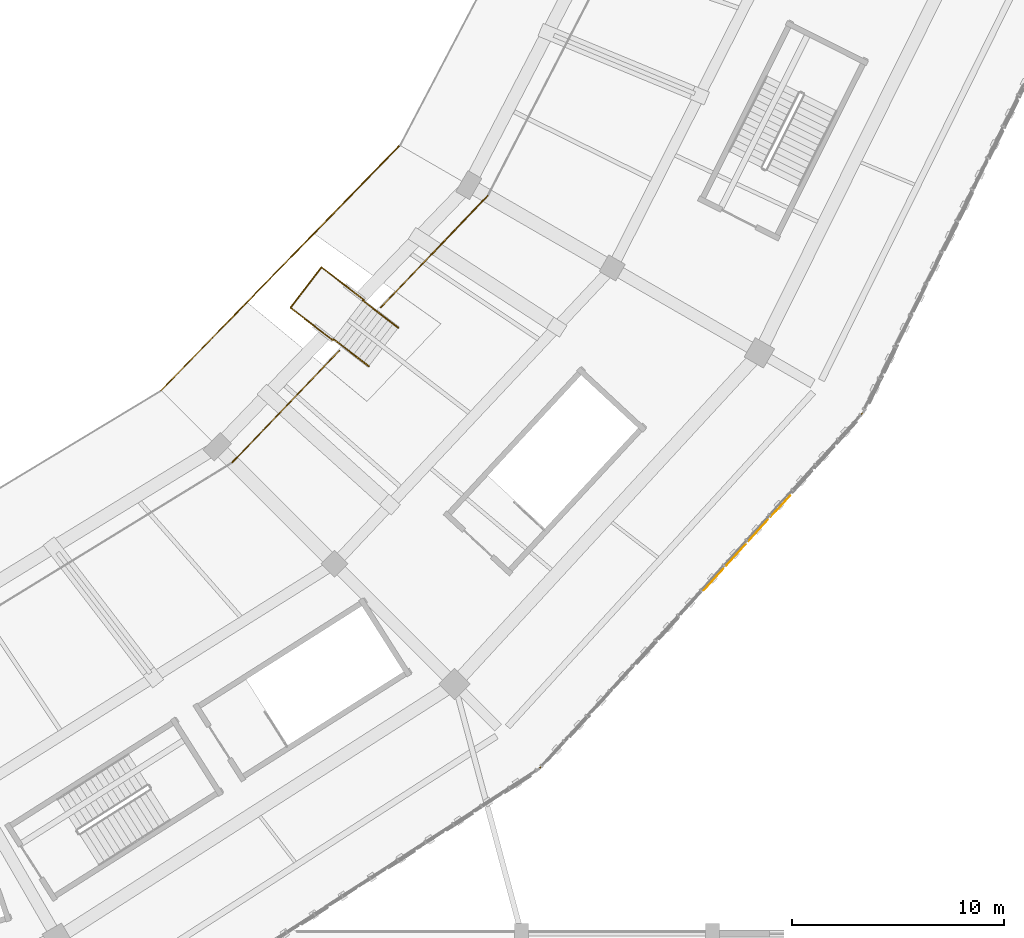
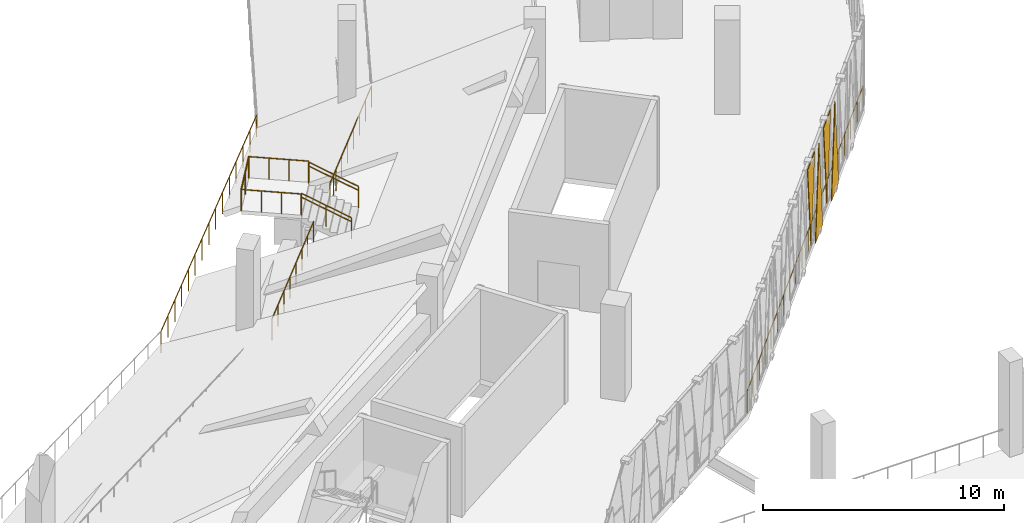
# One storey, part 130 of 152: 11 railings, 4 coverings.
"""IFC4 building model written with IfcOpenShell, lengths in metres."""

from ifc_helpers import new_model, si_unit, direction, frame, origin, origin_2d, place, context, subcontext, project, spatial, polyline, circle, outline, extrude, material, layer, layer_set, type_object, element, save


model = new_model("IFC4")

# Units and contexts
model_context = context("Model", 3, precision=1e-05, world=origin(), true_north=direction((0.0, 1.0)))
body_context = subcontext(model_context, "Body", "Model", "MODEL_VIEW")
ifc_project = project(units=[si_unit("LENGTHUNIT", "METRE"), si_unit("AREAUNIT", "SQUARE_METRE"), si_unit("VOLUMEUNIT", "CUBIC_METRE"), si_unit("PLANEANGLEUNIT", "RADIAN"), si_unit("MASSUNIT", "GRAM", prefix="KILO")], contexts=[model_context])

# Site, building, storey
site_placement = place(None, origin())
site = spatial("IfcSite", under=ifc_project, at=site_placement, CompositionType="ELEMENT")
building_placement = place(site_placement, origin())
building = spatial("IfcBuilding", under=site, at=building_placement, Name="Zevraka Park Crest Stadium", CompositionType="ELEMENT")
storey_placement = place(building_placement, frame((0.0, 0.0, 15.0)))
storey = spatial("IfcBuildingStorey", under=building, at=storey_placement, Name="L03", CompositionType="ELEMENT", Elevation=15.0)

# Coverings
ifc_material_1 = material(Name="Architectural golden-bronze perforated aluminium", Category="aluminium")
ifc_layer = layer(ifc_material_1, 0.034912109375)
ifc_layer_set = layer_set([ifc_layer], Name="Architectural golden-bronze perforated aluminium")
covering_type = type_object("IfcCoveringType", Name="CLD01", PredefinedType="CLADDING", material=ifc_layer_set)
covering_1_placement = place(storey_placement, frame((188.5029296875, 44.2041015625, 4.52001953125), z_axis=(-0.740050840866, 0.672550929577, 7.664783e-06), x_axis=(-0.672550929597, -0.740050840888, 0.0)))
element("IfcCovering", 1, at=covering_1_placement, inside=storey, type_object=covering_type, Name="Triangular Golden-Bronze Perforated Cladding L03-21-8", PredefinedType="CLADDING", context=body_context, shape_type="SweptSolid", body=[
    extrude(outline(polyline([(0.0, 0.0), (1.396124519986748, -8.470329472543003e-22), (0.6987520069516184, -4.300048828251311), (0.0, 0.0)])), origin(), (0.0, 0.0, -1.0), 0.034912109375),
])
covering_2_placement = place(storey_placement, frame((188.610107421875, 44.322021484375, -0.260009765625), z_axis=(-0.739654962675, 0.672986275479, 9.5952392e-05), x_axis=(0.672986278577, 0.73965496608, 0.0)))
element("IfcCovering", 2, at=covering_2_placement, inside=storey, type_object=covering_type, Name="Triangular Golden-Bronze Perforated Cladding L03-21-9", PredefinedType="CLADDING", context=body_context, shape_type="SweptSolid", body=[
    extrude(outline(polyline([(0.0, 0.0), (1.3952213791572479, -1.3552527156068805e-20), (0.6978490062471088, -4.62011720876839), (0.0, 0.0)])), origin(), (0.0, 0.0, -1.0), 0.034912109375),
])
covering_3_placement = place(storey_placement, frame((190.595947265625, 46.5048828125, 4.52001953125), z_axis=(-0.73965496215, 0.672986275001, 0.000103094479), x_axis=(-0.672986278577, -0.73965496608, 0.0)))
element("IfcCovering", 3, at=covering_3_placement, inside=storey, type_object=covering_type, Name="Triangular Golden-Bronze Perforated Cladding L03-21-10", PredefinedType="CLADDING", context=body_context, shape_type="SweptSolid", body=[
    extrude(outline(polyline([(0.0, 0.0), (1.3952213791572479, 0.0), (0.6978490062471088, -4.300048850976475), (0.0, 0.0)])), origin(), (0.0, 0.0, -1.0), 0.034912109375),
])
covering_4_placement = place(storey_placement, frame((190.702880859375, 46.623046875, -0.260009765625), z_axis=(-0.739884680743, 0.672733719408, 4.4420372e-05), x_axis=(0.672733720072, 0.739884681473, 0.0)))
element("IfcCovering", 4, at=covering_4_placement, inside=storey, type_object=covering_type, Name="Triangular Golden-Bronze Perforated Cladding L03-21-11", PredefinedType="CLADDING", context=body_context, shape_type="SweptSolid", body=[
    extrude(outline(polyline([(0.0, 0.0), (1.3961080831123893, 6.776263578034403e-21), (0.6987355994962312, -4.620117192058137), (0.0, 0.0)])), origin(), (0.0, 0.0, -1.0), 0.034912109375),
])

# Railings
ifc_material_2 = material(Name="Galvanised and bronze-finished steel balustrade", Category="steel")
railing_type_1 = type_object("IfcRailingType", Name="GR01", PredefinedType="GUARDRAIL", material=ifc_material_2)
railing_1_placement = place(storey_placement, frame((195.080078125, 51.5400390625, 0.0)))
element("IfcRailing", 5, at=railing_1_placement, inside=storey, type_object=railing_type_1, Name="Deck Edge Protection Guardrail GR01 L03-23", PredefinedType="GUARDRAIL", context=body_context, shape_type="SweptSolid", body=[
    extrude(circle(Radius=0.02392578125, at=origin_2d()), frame((0.0, 0.0, 1.076171875), z_axis=(-0.672817591136, -0.739808413752, 0.0), x_axis=(0.739808413752, -0.672817591136, 0.0)), (0.0, 0.0, 1.0), 22.6572265625),
    extrude(circle(Radius=0.02099609375, at=origin_2d()), origin(), (0.0, 0.0, 1.0), 1.052001953125),
    extrude(circle(Radius=0.02099609375, at=origin_2d()), frame((-0.80224609375, -0.88232421875, 0.0)), (0.0, 0.0, 1.0), 1.052001953125),
    extrude(circle(Radius=0.02099609375, at=origin_2d()), frame((-1.604736328125, -1.764404296875, 0.0)), (0.0, 0.0, 1.0), 1.052001953125),
    extrude(circle(Radius=0.02099609375, at=origin_2d()), frame((-2.406982421875, -2.646728515625, 0.0)), (0.0, 0.0, 1.0), 1.052001953125),
    extrude(circle(Radius=0.02099609375, at=origin_2d()), frame((-3.209228515625, -3.52880859375, 0.0)), (0.0, 0.0, 1.0), 1.052001953125),
    extrude(circle(Radius=0.02099609375, at=origin_2d()), frame((-4.01171875, -4.4111328125, 0.0)), (0.0, 0.0, 1.0), 1.052001953125),
    extrude(circle(Radius=0.02099609375, at=origin_2d()), frame((-4.81396484375, -5.293212890625, 0.0)), (0.0, 0.0, 1.0), 1.052001953125),
    extrude(circle(Radius=0.02099609375, at=origin_2d()), frame((-5.6162109375, -6.175537109375, 0.0)), (0.0, 0.0, 1.0), 1.052001953125),
    extrude(circle(Radius=0.02099609375, at=origin_2d()), frame((-6.418701171875, -7.0576171875, 0.0)), (0.0, 0.0, 1.0), 1.052001953125),
    extrude(circle(Radius=0.02099609375, at=origin_2d()), frame((-7.220947265625, -7.93994140625, 0.0)), (0.0, 0.0, 1.0), 1.052001953125),
    extrude(circle(Radius=0.02099609375, at=origin_2d()), frame((-8.023193359375, -8.822021484375, 0.0)), (0.0, 0.0, 1.0), 1.052001953125),
    extrude(circle(Radius=0.02099609375, at=origin_2d()), frame((-8.825439453125, -9.704345703125, 0.0)), (0.0, 0.0, 1.0), 1.052001953125),
    extrude(circle(Radius=0.02099609375, at=origin_2d()), frame((-9.6279296875, -10.58642578125, 0.0)), (0.0, 0.0, 1.0), 1.052001953125),
    extrude(circle(Radius=0.02099609375, at=origin_2d()), frame((-10.43017578125, -11.46875, 0.0)), (0.0, 0.0, 1.0), 1.052001953125),
    extrude(circle(Radius=0.02099609375, at=origin_2d()), frame((-11.232421875, -12.350830078125, 0.0)), (0.0, 0.0, 1.0), 1.052001953125),
    extrude(circle(Radius=0.02099609375, at=origin_2d()), frame((-12.034912109375, -13.233154296875, 0.0)), (0.0, 0.0, 1.0), 1.052001953125),
    extrude(circle(Radius=0.02099609375, at=origin_2d()), frame((-12.837158203125, -14.115234375, 0.0)), (0.0, 0.0, 1.0), 1.052001953125),
    extrude(circle(Radius=0.02099609375, at=origin_2d()), frame((-13.639404296875, -14.99755859375, 0.0)), (0.0, 0.0, 1.0), 1.052001953125),
    extrude(circle(Radius=0.02099609375, at=origin_2d()), frame((-14.44189453125, -15.879638671875, 0.0)), (0.0, 0.0, 1.0), 1.052001953125),
    extrude(circle(Radius=0.02099609375, at=origin_2d()), frame((-15.244140625, -16.761962890625, 0.0)), (0.0, 0.0, 1.0), 1.052001953125),
])
railing_2_placement = place(storey_placement, frame((165.387939453125, 49.196044921875, 0.0)))
element("IfcRailing", 6, at=railing_2_placement, inside=storey, type_object=railing_type_1, Name="Deck Edge Protection Guardrail GR01 L03-59", PredefinedType="GUARDRAIL", context=body_context, shape_type="SweptSolid", body=[
    extrude(circle(Radius=0.02392578125, at=origin_2d()), frame((0.0, 0.0, 1.076171875), z_axis=(0.691914826661, 0.72197913588, 0.0), x_axis=(-0.72197913588, 0.691914826661, 0.0)), (0.0, 0.0, 1.0), 7.2841796875),
    extrude(circle(Radius=0.02099609375, at=origin_2d()), origin(), (0.0, 0.0, 1.0), 1.052001953125),
    extrude(circle(Radius=0.02099609375, at=origin_2d()), frame((0.719970703125, 0.751220703125, 0.0)), (0.0, 0.0, 1.0), 1.052001953125),
    extrude(circle(Radius=0.02099609375, at=origin_2d()), frame((1.43994140625, 1.502685546875, 0.0)), (0.0, 0.0, 1.0), 1.052001953125),
    extrude(circle(Radius=0.02099609375, at=origin_2d()), frame((2.159912109375, 2.25390625, 0.0)), (0.0, 0.0, 1.0), 1.052001953125),
    extrude(circle(Radius=0.02099609375, at=origin_2d()), frame((2.880126953125, 3.005126953125, 0.0)), (0.0, 0.0, 1.0), 1.052001953125),
    extrude(circle(Radius=0.02099609375, at=origin_2d()), frame((3.60009765625, 3.75634765625, 0.0)), (0.0, 0.0, 1.0), 1.052001953125),
    extrude(circle(Radius=0.02099609375, at=origin_2d()), frame((4.320068359375, 4.5078125, 0.0)), (0.0, 0.0, 1.0), 1.052001953125),
    extrude(circle(Radius=0.02099609375, at=origin_2d()), frame((5.0400390625, 5.259033203125, 0.0)), (0.0, 0.0, 1.0), 1.052001953125),
])
railing_3_placement = place(storey_placement, frame((172.376953125, 56.489013671875, 0.0)))
element("IfcRailing", 7, at=railing_3_placement, inside=storey, type_object=railing_type_1, Name="Deck Edge Protection Guardrail GR01 L03-60", PredefinedType="GUARDRAIL", context=body_context, shape_type="SweptSolid", body=[
    extrude(circle(Radius=0.02392578125, at=origin_2d()), frame((0.0, 0.0, 1.076171875), z_axis=(0.691339270545, 0.72253028518, 0.0), x_axis=(-0.72253028518, 0.691339270545, 0.0)), (0.0, 0.0, 1.0), 7.271484375),
    extrude(circle(Radius=0.02099609375, at=origin_2d()), origin(), (0.0, 0.0, 1.0), 1.052001953125),
    extrude(circle(Radius=0.02099609375, at=origin_2d()), frame((0.71826171875, 0.75048828125, 0.0)), (0.0, 0.0, 1.0), 1.052001953125),
    extrude(circle(Radius=0.02099609375, at=origin_2d()), frame((1.436279296875, 1.501220703125, 0.0)), (0.0, 0.0, 1.0), 1.052001953125),
    extrude(circle(Radius=0.02099609375, at=origin_2d()), frame((2.154541015625, 2.251708984375, 0.0)), (0.0, 0.0, 1.0), 1.052001953125),
    extrude(circle(Radius=0.02099609375, at=origin_2d()), frame((2.87255859375, 3.002197265625, 0.0)), (0.0, 0.0, 1.0), 1.052001953125),
    extrude(circle(Radius=0.02099609375, at=origin_2d()), frame((3.5908203125, 3.752685546875, 0.0)), (0.0, 0.0, 1.0), 1.052001953125),
    extrude(circle(Radius=0.02099609375, at=origin_2d()), frame((4.308837890625, 4.50341796875, 0.0)), (0.0, 0.0, 1.0), 1.052001953125),
    extrude(circle(Radius=0.02099609375, at=origin_2d()), frame((5.027099609375, 5.25390625, 0.0)), (0.0, 0.0, 1.0), 1.052001953125),
])
ifc_material_3 = material(Name="Laminated glass and stainless steel sightline bowl guard", Category="steel")
railing_type_2 = type_object("IfcRailingType", Name="GR02", PredefinedType="GUARDRAIL", material=ifc_material_3)
railing_4_placement = place(storey_placement, frame((162.028076171875, 52.5791015625, -1.5)))
element("IfcRailing", 8, at=railing_4_placement, inside=storey, type_object=railing_type_2, Name="Upper Tier Cantilever Sightline Guard GR02 21", PredefinedType="GUARDRAIL", context=body_context, shape_type="SweptSolid", body=[
    extrude(circle(Radius=0.02392578125, at=origin_2d()), frame((0.0, 0.0, 1.09619140625), z_axis=(0.697644105553, 0.716444486326, 0.0), x_axis=(-0.716444486326, 0.697644105553, 0.0)), (0.0, 0.0, 1.0), 16.115478515625),
    extrude(circle(Radius=0.02099609375, at=origin_2d()), origin(), (0.0, 0.0, 1.0), 1.072021484375),
    extrude(circle(Radius=0.02099609375, at=origin_2d()), frame((0.802978515625, 0.82470703125, 0.0)), (0.0, 0.0, 1.0), 1.072021484375),
    extrude(circle(Radius=0.02099609375, at=origin_2d()), frame((1.606201171875, 1.6494140625, 0.0)), (0.0, 0.0, 1.0), 1.072021484375),
    extrude(circle(Radius=0.02099609375, at=origin_2d()), frame((2.4091796875, 2.47412109375, 0.0)), (0.0, 0.0, 1.0), 1.072021484375),
    extrude(circle(Radius=0.02099609375, at=origin_2d()), frame((3.212158203125, 3.298828125, 0.0)), (0.0, 0.0, 1.0), 1.072021484375),
    extrude(circle(Radius=0.02099609375, at=origin_2d()), frame((4.015380859375, 4.12353515625, 0.0)), (0.0, 0.0, 1.0), 1.072021484375),
    extrude(circle(Radius=0.02099609375, at=origin_2d()), frame((4.818359375, 4.9482421875, 0.0)), (0.0, 0.0, 1.0), 1.072021484375),
    extrude(circle(Radius=0.02099609375, at=origin_2d()), frame((5.62158203125, 5.77294921875, 0.0)), (0.0, 0.0, 1.0), 1.072021484375),
    extrude(circle(Radius=0.02099609375, at=origin_2d()), frame((6.424560546875, 6.59765625, 0.0)), (0.0, 0.0, 1.0), 1.072021484375),
    extrude(circle(Radius=0.02099609375, at=origin_2d()), frame((7.2275390625, 7.42236328125, 0.0)), (0.0, 0.0, 1.0), 1.072021484375),
    extrude(circle(Radius=0.02099609375, at=origin_2d()), frame((8.03076171875, 8.2470703125, 0.0)), (0.0, 0.0, 1.0), 1.072021484375),
    extrude(circle(Radius=0.02099609375, at=origin_2d()), frame((8.833740234375, 9.07177734375, 0.0)), (0.0, 0.0, 1.0), 1.072021484375),
    extrude(circle(Radius=0.02099609375, at=origin_2d()), frame((9.63671875, 9.896484375, 0.0)), (0.0, 0.0, 1.0), 1.072021484375),
    extrude(circle(Radius=0.02099609375, at=origin_2d()), frame((10.43994140625, 10.72119140625, 0.0)), (0.0, 0.0, 1.0), 1.072021484375),
    extrude(circle(Radius=0.02099609375, at=origin_2d()), frame((11.242919921875, 11.5458984375, 0.0)), (0.0, 0.0, 1.0), 1.072021484375),
])
ifc_material_4 = material(Name="Powder-coated tubular steel stairwell guard", Category="steel")
railing_type_3 = type_object("IfcRailingType", Name="GR03", PredefinedType="GUARDRAIL", material=ifc_material_4)
railing_5_placement = place(storey_placement, frame((173.197021484375, 55.531982421875, 0.14990234375)))
element("IfcRailing", 9, at=railing_5_placement, inside=storey, type_object=railing_type_3, Name="Vomitory Flight Guard VS-16-1", PredefinedType="GUARDRAIL", context=body_context, shape_type="SweptSolid", body=[
    extrude(circle(Radius=0.02392578125, at=origin_2d()), frame((0.0, 0.0, 1.076171875), z_axis=(-0.709477038954, 0.5446878967, 0.447165994218), x_axis=(-0.608963378379, -0.793198338244, 0.0)), (0.0, 0.0, 1.0), 2.34814453125),
    extrude(circle(Radius=0.02099609375, at=origin_2d()), origin(), (0.0, 0.0, 1.0), 1.052001953125),
    extrude(circle(Radius=0.02099609375, at=origin_2d()), frame((-0.8330078125, 0.6396484375, 0.52490234375)), (0.0, 0.0, 1.0), 1.052001953125),
    extrude(circle(Radius=0.02099609375, at=origin_2d()), frame((-1.666015625, 1.279052734375, 1.050048828125)), (0.0, 0.0, 1.0), 1.052001953125),
])
railing_6_placement = place(storey_placement, frame((171.80908203125, 53.72412109375, 0.14990234375)))
element("IfcRailing", 10, at=railing_6_placement, inside=storey, type_object=railing_type_3, Name="Vomitory Flight Guard VS-16-2", PredefinedType="GUARDRAIL", context=body_context, shape_type="SweptSolid", body=[
    extrude(circle(Radius=0.02392578125, at=origin_2d()), frame((0.0, 0.0, 1.076171875), z_axis=(-0.709677917024, 0.544322130379, 0.447292602743), x_axis=(-0.608597525117, -0.793479081276, 0.0)), (0.0, 0.0, 1.0), 2.34765625),
    extrude(circle(Radius=0.02099609375, at=origin_2d()), origin(), (0.0, 0.0, 1.0), 1.052001953125),
    extrude(circle(Radius=0.02099609375, at=origin_2d()), frame((-0.8330078125, 0.638916015625, 0.52490234375)), (0.0, 0.0, 1.0), 1.052001953125),
    extrude(circle(Radius=0.02099609375, at=origin_2d()), frame((-1.666015625, 1.27783203125, 1.050048828125)), (0.0, 0.0, 1.0), 1.052001953125),
])
railing_7_placement = place(storey_placement, frame((171.5869140625, 56.843017578125, 1.199951171875)))
element("IfcRailing", 11, at=railing_7_placement, inside=storey, type_object=railing_type_3, Name="Vomitory Landing Guard VS-16-1", PredefinedType="GUARDRAIL", context=body_context, shape_type="SweptSolid", body=[
    extrude(circle(Radius=0.02392578125, at=origin_2d()), frame((0.0, 0.0, 1.076171875), z_axis=(-0.793360374373, 0.608752261906, 0.0), x_axis=(-0.608752261906, -0.793360374373, 0.0)), (0.0, 0.0, 1.0), 2.524658203125),
    extrude(circle(Radius=0.02099609375, at=origin_2d()), origin(), (0.0, 0.0, 1.0), 1.052001953125),
    extrude(circle(Radius=0.02099609375, at=origin_2d()), frame((-0.667724609375, 0.51220703125, 0.0)), (0.0, 0.0, 1.0), 1.052001953125),
    extrude(circle(Radius=0.02099609375, at=origin_2d()), frame((-1.335205078125, 1.024658203125, 0.0)), (0.0, 0.0, 1.0), 1.052001953125),
    extrude(circle(Radius=0.02099609375, at=origin_2d()), frame((-2.0029296875, 1.536865234375, 0.0)), (0.0, 0.0, 1.0), 1.052001953125),
])
railing_8_placement = place(storey_placement, frame((169.583984375, 58.3798828125, 1.199951171875)))
element("IfcRailing", 12, at=railing_8_placement, inside=storey, type_object=railing_type_3, Name="Vomitory Landing Guard VS-16-2", PredefinedType="GUARDRAIL", context=body_context, shape_type="SweptSolid", body=[
    extrude(circle(Radius=0.02392578125, at=origin_2d()), frame((0.0, 0.0, 1.076171875), z_axis=(-0.608786026993, -0.793334464988, 0.0), x_axis=(0.793334464988, -0.608786026993, 0.0)), (0.0, 0.0, 1.0), 2.399658203125),
    extrude(circle(Radius=0.02099609375, at=origin_2d()), origin(), (0.0, 0.0, 1.0), 1.052001953125),
    extrude(circle(Radius=0.02099609375, at=origin_2d()), frame((-0.73046875, -0.951904296875, 0.0)), (0.0, 0.0, 1.0), 1.052001953125),
    extrude(circle(Radius=0.02099609375, at=origin_2d()), frame((-1.4609375, -1.90380859375, 0.0)), (0.0, 0.0, 1.0), 1.052001953125),
])
railing_9_placement = place(storey_placement, frame((168.123046875, 56.47607421875, 1.199951171875)))
element("IfcRailing", 13, at=railing_9_placement, inside=storey, type_object=railing_type_3, Name="Vomitory Landing Guard VS-16-3", PredefinedType="GUARDRAIL", context=body_context, shape_type="SweptSolid", body=[
    extrude(circle(Radius=0.02392578125, at=origin_2d()), frame((0.0, 0.0, 1.076171875), z_axis=(0.793313670586, -0.608813124087, 0.0), x_axis=(0.608813124087, 0.793313670586, 0.0)), (0.0, 0.0, 1.0), 2.524658203125),
    extrude(circle(Radius=0.02099609375, at=origin_2d()), origin(), (0.0, 0.0, 1.0), 1.052001953125),
    extrude(circle(Radius=0.02099609375, at=origin_2d()), frame((0.667724609375, -0.512451171875, 0.0)), (0.0, 0.0, 1.0), 1.052001953125),
    extrude(circle(Radius=0.02099609375, at=origin_2d()), frame((1.335205078125, -1.024658203125, 0.0)), (0.0, 0.0, 1.0), 1.052001953125),
    extrude(circle(Radius=0.02099609375, at=origin_2d()), frame((2.0029296875, -1.537109375, 0.0)), (0.0, 0.0, 1.0), 1.052001953125),
])
ifc_material_5 = material(Name="Brushed stainless steel continuous handrail", Category="steel")
railing_type_4 = type_object("IfcRailingType", Name="HR01", PredefinedType="HANDRAIL", material=ifc_material_5)
railing_10_placement = place(storey_placement, frame((173.197021484375, 55.531982421875, 0.14990234375)))
element("IfcRailing", 14, at=railing_10_placement, inside=storey, type_object=railing_type_4, Name="Vomitory Handrail VS-16-1", PredefinedType="HANDRAIL", context=body_context, shape_type="SweptSolid", body=[
    extrude(circle(Radius=0.02392578125, at=origin_2d()), frame((0.0, 0.0, 0.8759765625), z_axis=(-0.709477038954, 0.5446878967, 0.447165994218), x_axis=(-0.608963378379, -0.793198338244, 0.0)), (0.0, 0.0, 1.0), 2.34814453125),
    extrude(circle(Radius=0.02099609375, at=origin_2d()), origin(), (0.0, 0.0, 1.0), 0.851806640625),
    extrude(circle(Radius=0.02099609375, at=origin_2d()), frame((-0.8330078125, 0.6396484375, 0.52490234375)), (0.0, 0.0, 1.0), 0.851806640625),
    extrude(circle(Radius=0.02099609375, at=origin_2d()), frame((-1.666015625, 1.279052734375, 1.050048828125)), (0.0, 0.0, 1.0), 0.851806640625),
])
railing_11_placement = place(storey_placement, frame((171.80908203125, 53.72412109375, 0.14990234375)))
element("IfcRailing", 15, at=railing_11_placement, inside=storey, type_object=railing_type_4, Name="Vomitory Handrail VS-16-2", PredefinedType="HANDRAIL", context=body_context, shape_type="SweptSolid", body=[
    extrude(circle(Radius=0.02392578125, at=origin_2d()), frame((0.0, 0.0, 0.8759765625), z_axis=(-0.709677917024, 0.544322130379, 0.447292602743), x_axis=(-0.608597525117, -0.793479081276, 0.0)), (0.0, 0.0, 1.0), 2.34765625),
    extrude(circle(Radius=0.02099609375, at=origin_2d()), origin(), (0.0, 0.0, 1.0), 0.851806640625),
    extrude(circle(Radius=0.02099609375, at=origin_2d()), frame((-0.8330078125, 0.638916015625, 0.52490234375)), (0.0, 0.0, 1.0), 0.851806640625),
    extrude(circle(Radius=0.02099609375, at=origin_2d()), frame((-1.666015625, 1.27783203125, 1.050048828125)), (0.0, 0.0, 1.0), 0.851806640625),
])

save(model, "model.ifc")
